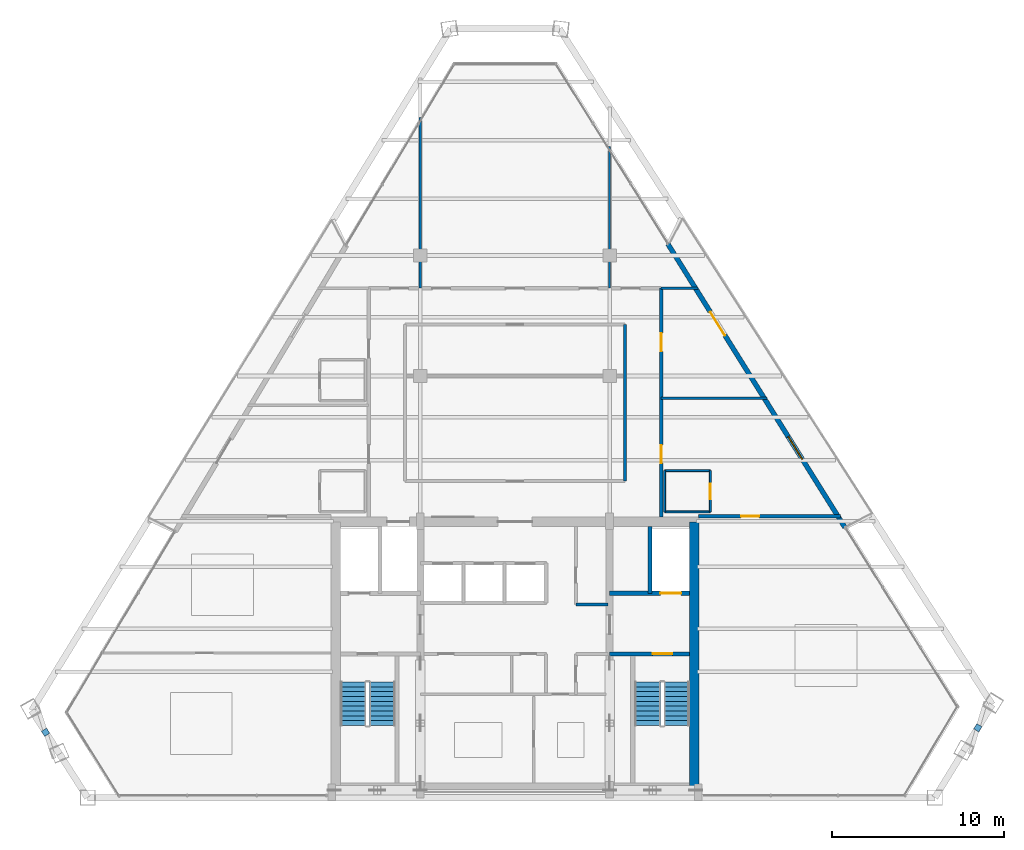
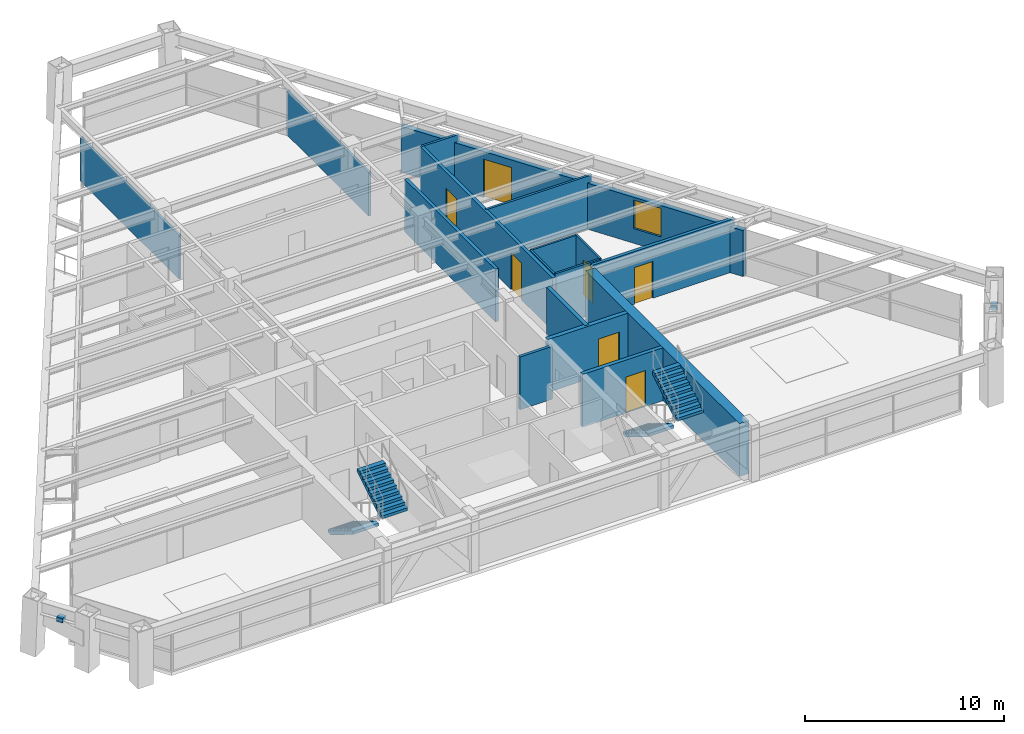
# One storey, part 10 of 12: 17 walls, 7 doors, 4 stair flights, 2 discrete accessories, 1 window, 8 openings, 2 elements without a shape of their own.
"""IFC4 building model written with IfcOpenShell, lengths in metres."""

from ifc_helpers import new_model, si_unit, direction, frame, frame_2d, origin, origin_2d, place, context, subcontext, project, spatial, polyline, rectangle, outline, extrude, source, transform, mapped, material, layer, layer_set, type_object, type_shapes, element, fill, aggregate, save


model = new_model("IFC4")

# Units and contexts
model_context = context("Model", 3, precision=1e-05, world=origin(), true_north=direction((0.0, 1.0)))
body_context = subcontext(model_context, "Body", "Model", "MODEL_VIEW")
ifc_project = project(units=[si_unit("LENGTHUNIT", "METRE"), si_unit("AREAUNIT", "SQUARE_METRE"), si_unit("VOLUMEUNIT", "CUBIC_METRE"), si_unit("PLANEANGLEUNIT", "RADIAN"), si_unit("MASSUNIT", "GRAM", prefix="KILO")], contexts=[model_context])

# Site, building, storey
site_placement = place(None, origin())
site = spatial("IfcSite", under=ifc_project, at=site_placement, CompositionType="ELEMENT")
building_placement = place(site_placement, origin())
building = spatial("IfcBuilding", under=site, at=building_placement, Name="Varnakhor Terracotta Tower", CompositionType="ELEMENT")
storey_placement = place(building_placement, frame((0.0, 0.0, 223.449951171875)))
storey = spatial("IfcBuildingStorey", under=building, at=storey_placement, Name="L57", CompositionType="ELEMENT", Elevation=223.449951171875)

# Walls
ifc_material_1 = material(Name="Moisture-Resistant Tile-Backed Partition", Category="gypsum")
ifc_layer_1 = layer(ifc_material_1, 0.114990234375, Name="Moisture-Resistant Tile-Backed Partition")
ifc_layer_set_1 = layer_set([ifc_layer_1], Name="Moisture-Resistant Tile-Backed Partition")
wall_type_1 = type_object("IfcWallType", Name="WAL-BATH-115", PredefinedType="PARTITIONING", material=ifc_layer_set_1)
for number, where, z_axis, x_axis, name in (
    (1, (8.699951171875, 16.60009765625, 0.0), (0.0, 0.0, 1.0), (1.0, 0.0, 0.0), "L57 En-Suite 3 Wall S"),
    (2, (8.699951171875, 19.0, 0.0), (0.0, 0.0, 1.0), (1.0, 0.0, 0.0), "L57 En-Suite 3 Wall N"),
):
    element("IfcWall", number, at=place(storey_placement, frame(where, z_axis=z_axis, x_axis=x_axis)), inside=storey, type_object=wall_type_1, Name=name, PredefinedType="PARTITIONING", context=body_context, shape_type="SweptSolid", body=[
        extrude(rectangle(XDim=2.650146484375, YDim=0.114990234375, at=frame_2d((1.3251953125, 0.0))), origin(), (0.0, 0.0, 1.0), 3.23193359375),
    ])
wall_1_placement = place(storey_placement, frame((8.699951171875, 16.60009765625, 0.0), z_axis=(0.0, 0.0, 1.0), x_axis=(0.0, 1.0, 0.0)))
element("IfcWall", 3, at=wall_1_placement, inside=storey, type_object=wall_type_1, Name="L57 En-Suite 3 Wall W", PredefinedType="PARTITIONING", context=body_context, shape_type="SweptSolid", body=[
    extrude(rectangle(XDim=2.39990234375, YDim=0.114990234375, at=frame_2d((1.199951171875, 0.0))), origin(), (0.0, 0.0, 1.0), 3.23193359375),
])

# Wall, opening, door
wall_2_placement = place(storey_placement, frame((11.35009765625, 16.60009765625, 0.0), z_axis=(0.0, 0.0, 1.0), x_axis=(0.0, 1.0, 0.0)))
wall_2 = element("IfcWall", 4, at=wall_2_placement, inside=storey, type_object=wall_type_1, Name="L57 En-Suite 3 Wall E", PredefinedType="PARTITIONING", context=body_context, shape_type="SweptSolid", body=[
    extrude(rectangle(XDim=2.39990234375, YDim=0.114990234375, at=frame_2d((1.199951171875, 0.0))), origin(), (0.0, 0.0, 1.0), 3.23193359375),
])
opening_1_placement = place(wall_2_placement, frame((0.75, 0.0, 0.0)))
opening_1 = element("IfcOpeningElement", 5, at=opening_1_placement, cuts=wall_2, Name="Opening DR-93", PredefinedType="OPENING", context=body_context, shape_type="SweptSolid", body=[
    extrude(rectangle(XDim=0.89990234375, YDim=2.14990234375, at=frame_2d((0.449951171875, 1.074951171875))), frame((0.0, 0.0673828125, 0.0), z_axis=(0.0, -1.0, 0.0), x_axis=(1.0, 0.0, 0.0)), (0.0, 0.0, 1.0), 0.135009765625),
])
ifc_material_2 = material(Name="Moisture-Resistant Accessible Bathroom Door", Category="wood")
door_type_1 = type_object("IfcDoorType", Name="DR-BATH-900X2150", OperationType="NOTDEFINED", PredefinedType="DOOR", material=ifc_material_2)
shared_shape_1 = source(origin(), body_context, "Body", "SweptSolid", [
    extrude(rectangle(XDim=0.89990234375, YDim=2.14990234375, at=frame_2d((0.449951171875, 1.074951171875))), frame((0.0, 0.02490234375, 0.0), z_axis=(0.0, -1.0, 0.0), x_axis=(1.0, 0.0, 0.0)), (0.0, 0.0, 1.0), 0.050048828125),
])
type_shapes(door_type_1, [shared_shape_1])
door_1_placement = place(opening_1_placement, origin())
door_1 = element("IfcDoor", 6, at=door_1_placement, inside=storey, type_object=door_type_1, Name="L57 En-Suite Bathroom 3 Door", OperationType="SINGLE_SWING_LEFT", OverallHeight=2.14990234375, OverallWidth=0.89990234375, PredefinedType="DOOR", context=body_context, shape_type="MappedRepresentation", body=[
    mapped(shared_shape_1, transform((0.0, 0.0, 0.0), scale=1.0)),
])
fill(opening_1, door_1)

# Walls
ifc_material_3 = material(Name="Concrete C50/60", Category="concrete")
ifc_layer_2 = layer(ifc_material_3, 0.550048828125, Name="Concrete C50/60")
ifc_layer_set_2 = layer_set([ifc_layer_2], Name="Concrete C50/60")
wall_type_2 = type_object("IfcWallType", Name="WAL-CORE-550", PredefinedType="SHEAR", material=ifc_layer_set_2)
wall_3_placement = place(storey_placement, frame((10.425048828125, 0.574951171875, 0.0), z_axis=(0.0, 0.0, 1.0), x_axis=(0.0, 1.0, 0.0)))
element("IfcWall", 7, at=wall_3_placement, inside=storey, type_object=wall_type_2, Name="L57 East Core Shear Wall", PredefinedType="SHEAR", context=body_context, shape_type="SweptSolid", body=[
    extrude(rectangle(XDim=15.449951171875, YDim=0.550048828125, at=frame_2d((7.72509765625, 0.0))), origin(), (0.0, 0.0, 1.0), 3.239990234375),
])
ifc_material_4 = material(Name="Fire-Rated Gypsum Stud Partition", Category="gypsum")
ifc_layer_3 = layer(ifc_material_4, 0.18505859375, Name="Fire-Rated Gypsum Stud Partition")
ifc_layer_set_3 = layer_set([ifc_layer_3], Name="Fire-Rated Gypsum Stud Partition")
wall_type_3 = type_object("IfcWallType", Name="WAL-CORR-185", PredefinedType="PARTITIONING", material=ifc_layer_set_3)
wall_4_placement = place(storey_placement, frame((6.39990234375, 18.39990234375, 0.0), z_axis=(0.0, 0.0, 1.0), x_axis=(0.0, 1.0, 0.0)))
element("IfcWall", 8, at=wall_4_placement, inside=storey, type_object=wall_type_3, Name="L57 Ring Inner East Wall", PredefinedType="PARTITIONING", context=body_context, shape_type="SweptSolid", body=[
    extrude(rectangle(XDim=9.10009765625, YDim=0.18505859375, at=frame_2d((4.550048828125, 0.0))), origin(), (0.0, 0.0, 1.0), 3.23193359375),
])

# Wall, openings, doors
wall_5_placement = place(storey_placement, frame((8.5, 16.300048828125, 0.0), z_axis=(0.0, 0.0, 1.0), x_axis=(0.0, 1.0, 0.0)))
wall_5 = element("IfcWall", 9, at=wall_5_placement, inside=storey, type_object=wall_type_3, Name="L57 Hotel East Corridor Wall", PredefinedType="PARTITIONING", context=body_context, shape_type="SweptSolid", body=[
    extrude(rectangle(XDim=13.300048828125, YDim=0.18505859375, at=frame_2d((6.64990234375, 0.0))), origin(), (0.0, 0.0, 1.0), 3.23193359375),
])
opening_2_placement = place(wall_5_placement, frame((3.135986328125, 0.0, 0.0)))
opening_2 = element("IfcOpeningElement", 10, at=opening_2_placement, cuts=wall_5, Name="Opening DR-95", PredefinedType="OPENING", context=body_context, shape_type="SweptSolid", body=[
    extrude(rectangle(XDim=1.050048828125, YDim=2.25, at=frame_2d((0.52490234375, 1.125))), frame((0.0, 0.1025390625, 0.0), z_axis=(0.0, -1.0, 0.0), x_axis=(1.0, 0.0, 0.0)), (0.0, 0.0, 1.0), 0.205078125),
])
opening_3_placement = place(wall_5_placement, frame((9.6357421875, 0.0, 0.0)))
opening_3 = element("IfcOpeningElement", 11, at=opening_3_placement, cuts=wall_5, Name="Opening DR-95", PredefinedType="OPENING", context=body_context, shape_type="SweptSolid", body=[
    extrude(rectangle(XDim=1.050048828125, YDim=2.25, at=frame_2d((0.52490234375, 1.125))), frame((0.0, 0.1025390625, 0.0), z_axis=(0.0, -1.0, 0.0), x_axis=(1.0, 0.0, 0.0)), (0.0, 0.0, 1.0), 0.205078125),
])
ifc_material_5 = material(Name="Solid-Core Timber Tenant/Hotel Entrance Door", Category="wood")
door_type_2 = type_object("IfcDoorType", Name="DR-SUITE-1050X2250", OperationType="NOTDEFINED", PredefinedType="DOOR", material=ifc_material_5)
shared_shape_2 = source(origin(), body_context, "Body", "SweptSolid", [
    extrude(rectangle(XDim=1.050048828125, YDim=2.25, at=frame_2d((0.52490234375, 1.125))), frame((0.0, 0.02490234375, 0.0), z_axis=(0.0, -1.0, 0.0), x_axis=(1.0, 0.0, 0.0)), (0.0, 0.0, 1.0), 0.050048828125),
])
type_shapes(door_type_2, [shared_shape_2])
door_2_placement = place(opening_2_placement, origin())
door_2 = element("IfcDoor", 12, at=door_2_placement, inside=storey, type_object=door_type_2, Name="L57 East Room 1 Entry Door", OperationType="SINGLE_SWING_RIGHT", OverallHeight=2.25, OverallWidth=1.050048828125, PredefinedType="DOOR", context=body_context, shape_type="MappedRepresentation", body=[
    mapped(shared_shape_2, transform((0.0, 0.0, 0.0), scale=1.0)),
])
fill(opening_2, door_2)
door_3_placement = place(opening_3_placement, origin())
door_3 = element("IfcDoor", 13, at=door_3_placement, inside=storey, type_object=door_type_2, Name="L57 East Room 2 Entry Door", OperationType="SINGLE_SWING_LEFT", OverallHeight=2.25, OverallWidth=1.050048828125, PredefinedType="DOOR", context=body_context, shape_type="MappedRepresentation", body=[
    mapped(shared_shape_2, transform((0.0, 0.0, 0.0), scale=1.0)),
])
fill(opening_3, door_3)

# Wall, opening, door
wall_6_placement = place(storey_placement, frame((10.679931640625, 16.35009765625, 0.0), z_axis=(0.0, 0.0, 1.0), x_axis=(1.0, 0.0, 0.0)))
wall_6 = element("IfcWall", 14, at=wall_6_placement, inside=storey, type_object=wall_type_3, Name="L57 South East Guest Entry Wall", PredefinedType="PARTITIONING", context=body_context, shape_type="SweptSolid", body=[
    extrude(rectangle(XDim=8.240966796875, YDim=0.18505859375, at=frame_2d((4.12060546875, 0.0))), origin(), (0.0, 0.0, 1.0), 3.23193359375),
])
opening_4_placement = place(wall_6_placement, frame((2.461181640625, 0.0, 0.0)))
opening_4 = element("IfcOpeningElement", 15, at=opening_4_placement, cuts=wall_6, Name="Opening DR-95", PredefinedType="OPENING", context=body_context, shape_type="SweptSolid", body=[
    extrude(rectangle(XDim=1.050048828125, YDim=2.25, at=frame_2d((0.52490234375, 1.125))), frame((0.0, 0.1025390625, 0.0), z_axis=(0.0, -1.0, 0.0), x_axis=(1.0, 0.0, 0.0)), (0.0, 0.0, 1.0), 0.205078125),
])
door_4_placement = place(opening_4_placement, origin())
door_4 = element("IfcDoor", 16, at=door_4_placement, inside=storey, type_object=door_type_2, Name="L57 SE Suite Entry Door", OperationType="SINGLE_SWING_LEFT", OverallHeight=2.25, OverallWidth=1.050048828125, PredefinedType="DOOR", context=body_context, shape_type="MappedRepresentation", body=[
    mapped(shared_shape_2, transform((0.0, 0.0, 0.0), scale=1.0)),
])
fill(opening_4, door_4)

# Wall, openings, door, window
ifc_material_6 = material(Name="Extruded Architectural Terracotta Assembly", Category="masonry")
ifc_layer_4 = layer(ifc_material_6, 0.280029296875, Name="Extruded Architectural Terracotta Assembly")
ifc_layer_set_4 = layer_set([ifc_layer_4], Name="Extruded Architectural Terracotta Assembly")
wall_type_4 = type_object("IfcWallType", Name="WAL-EXT-TERRACOTTA-280", PredefinedType="SOLIDWALL", material=ifc_layer_set_4)
wall_7_placement = place(storey_placement, frame((8.882568359375, 32.177734375, 0.0), z_axis=(0.0, 0.0, 1.0), x_axis=(0.529719957473, -0.848172604282, 0.0)))
wall_7 = element("IfcWall", 17, at=wall_7_placement, inside=storey, type_object=wall_type_4, Name="L57 E Loggia Insulated Terracotta Wall", PredefinedType="SOLIDWALL", context=body_context, shape_type="SweptSolid", body=[
    extrude(rectangle(XDim=19.431396484375, YDim=0.280029296875, at=frame_2d((9.7158203125, 0.0))), origin(), (0.0, 0.0, 1.0), 2.820068359375),
])
opening_5_placement = place(wall_7_placement, frame((4.66357421875, 0.0, 0.0)))
opening_5 = element("IfcOpeningElement", 18, at=opening_5_placement, cuts=wall_7, Name="Opening DR-62", PredefinedType="OPENING", context=body_context, shape_type="SweptSolid", body=[
    extrude(rectangle(XDim=1.60009765625, YDim=2.35009765625, at=frame_2d((0.800048828125, 1.175048828125))), frame((0.0, 0.14990234375, 0.0), z_axis=(0.0, -1.0, 0.0), x_axis=(1.0, 0.0, 0.0)), (0.0, 0.0, 1.0), 0.300048828125),
])
opening_6_placement = place(wall_7_placement, frame((13.21337890625, 0.0, 0.89990234375)))
opening_6 = element("IfcOpeningElement", 19, at=opening_6_placement, cuts=wall_7, Name="Opening WN-59", PredefinedType="OPENING", context=body_context, shape_type="SweptSolid", body=[
    extrude(rectangle(XDim=1.550048828125, YDim=1.75, at=frame_2d((0.77490234375, 0.875))), frame((0.0, 0.14990234375, 0.0), z_axis=(0.0, -1.0, 0.0), x_axis=(1.0, 0.0, 0.0)), (0.0, 0.0, 1.0), 0.300048828125),
])
ifc_material_7 = material(Name="Thermally Broken Sliding Glass Loggia Door", Category="glass")
door_type_3 = type_object("IfcDoorType", Name="DR-EXT-LOGGIA-1600X2350", OperationType="NOTDEFINED", PredefinedType="DOOR", material=ifc_material_7)
shared_shape_3 = source(origin(), body_context, "Body", "SweptSolid", [
    extrude(rectangle(XDim=1.60009765625, YDim=2.35009765625, at=frame_2d((0.800048828125, 1.175048828125))), frame((0.0, 0.02490234375, 0.0), z_axis=(0.0, -1.0, 0.0), x_axis=(1.0, 0.0, 0.0)), (0.0, 0.0, 1.0), 0.050048828125),
])
type_shapes(door_type_3, [shared_shape_3])
door_5_placement = place(opening_5_placement, origin())
door_5 = element("IfcDoor", 20, at=door_5_placement, inside=storey, type_object=door_type_3, Name="L57 E Recessed Loggia Sliding Door", OperationType="SLIDING_TO_RIGHT", OverallHeight=2.35009765625, OverallWidth=1.60009765625, PredefinedType="DOOR", context=body_context, shape_type="MappedRepresentation", body=[
    mapped(shared_shape_3, transform((0.0, 0.0, 0.0), scale=1.0)),
])
fill(opening_5, door_5)
ifc_material_8 = material(Name="Solar-Control Low-E Insulated Glass Unit", Category="glass")
window_type = type_object("IfcWindowType", Name="WIN-HTL-1500X1950", PartitioningType="SINGLE_PANEL", PredefinedType="WINDOW", material=ifc_material_8)
shared_shape_4 = source(origin(), body_context, "Body", "SweptSolid", [
    extrude(rectangle(XDim=1.550048828125, YDim=1.75, at=frame_2d((0.77490234375, 0.875))), frame((0.0, 0.030029296875, 0.0), z_axis=(0.0, -1.0, 0.0), x_axis=(1.0, 0.0, 0.0)), (0.0, 0.0, 1.0), 0.06005859375),
])
type_shapes(window_type, [shared_shape_4])
window_placement = place(opening_6_placement, origin())
window = element("IfcWindow", 21, at=window_placement, inside=storey, type_object=window_type, Name="L57 E Facet Punched Window", OverallHeight=1.75, OverallWidth=1.550048828125, PartitioningType="SINGLE_PANEL", PredefinedType="WINDOW", context=body_context, shape_type="MappedRepresentation", body=[
    mapped(shared_shape_4, transform((0.0, 0.0, 0.0), scale=1.0)),
])
fill(opening_6, window)

# Wall, opening, door
ifc_material_9 = material(Name="Concrete C40/50", Category="concrete")
ifc_layer_5 = layer(ifc_material_9, 0.219970703125, Name="Concrete C40/50")
ifc_layer_set_5 = layer_set([ifc_layer_5], Name="Concrete C40/50")
wall_type_5 = type_object("IfcWallType", Name="WAL-FFLOBBY-220", PredefinedType="SOLIDWALL", material=ifc_layer_set_5)
wall_8_placement = place(storey_placement, frame((10.14990234375, 8.35009765625, 0.0), z_axis=(0.0, 0.0, 1.0), x_axis=(-1.0, 0.0, 0.0)))
wall_8 = element("IfcWall", 22, at=wall_8_placement, inside=storey, type_object=wall_type_5, Name="L57 East Firefighting Lobby Stair Wall", PredefinedType="SOLIDWALL", context=body_context, shape_type="SweptSolid", body=[
    extrude(rectangle(XDim=4.64990234375, YDim=0.219970703125, at=frame_2d((2.324951171875, 0.0))), origin(), (0.0, 0.0, 1.0), 3.239990234375),
])
opening_7_placement = place(wall_8_placement, frame((1.0, 0.0, 0.0)))
opening_7 = element("IfcOpeningElement", 23, at=opening_7_placement, cuts=wall_8, Name="Opening DR-34", PredefinedType="OPENING", context=body_context, shape_type="SweptSolid", body=[
    extrude(rectangle(XDim=1.14990234375, YDim=2.199951171875, at=frame_2d((0.574951171875, 1.10009765625))), frame((0.0, 0.1201171875, 0.0), z_axis=(0.0, -1.0, 0.0), x_axis=(1.0, 0.0, 0.0)), (0.0, 0.0, 1.0), 0.239990234375),
])
ifc_material_10 = material(Name="Self-Closing Smoke-Sealed Steel Fire Door", Category="steel")
door_type_4 = type_object("IfcDoorType", Name="DR-STAIR-1150X2200", OperationType="NOTDEFINED", PredefinedType="DOOR", material=ifc_material_10)
shared_shape_5 = source(origin(), body_context, "Body", "SweptSolid", [
    extrude(rectangle(XDim=1.14990234375, YDim=2.199951171875, at=frame_2d((0.574951171875, 1.10009765625))), frame((0.0, 0.02490234375, 0.0), z_axis=(0.0, -1.0, 0.0), x_axis=(1.0, 0.0, 0.0)), (0.0, 0.0, 1.0), 0.050048828125),
])
type_shapes(door_type_4, [shared_shape_5])
door_6_placement = place(opening_7_placement, origin())
door_6 = element("IfcDoor", 24, at=door_6_placement, inside=storey, type_object=door_type_4, Name="L57 Exit Stair ST-2 Fire Door", OperationType="SINGLE_SWING_RIGHT", OverallHeight=2.199951171875, OverallWidth=1.14990234375, PredefinedType="DOOR", context=body_context, shape_type="MappedRepresentation", body=[
    mapped(shared_shape_5, transform((0.0, 0.0, 0.0), scale=1.0)),
])
fill(opening_7, door_6)

# Walls
ifc_material_11 = material(Name="Acoustic Hotel Room Partition", Category="gypsum")
ifc_layer_6 = layer(ifc_material_11, 0.1298828125, Name="Acoustic Hotel Room Partition")
ifc_layer_set_6 = layer_set([ifc_layer_6], Name="Acoustic Hotel Room Partition")
wall_type_6 = type_object("IfcWallType", Name="WAL-PART-130", PredefinedType="PARTITIONING", material=ifc_layer_set_6)
wall_9_placement = place(storey_placement, frame((8.5, 29.60009765625, 0.0), z_axis=(0.0, 0.0, 1.0), x_axis=(1.0, 0.0, 0.0)))
element("IfcWall", 25, at=wall_9_placement, inside=storey, type_object=wall_type_6, Name="L57 North East Suite South Wall", PredefinedType="PARTITIONING", context=body_context, shape_type="SweptSolid", body=[
    extrude(rectangle(XDim=2.145751953125, YDim=0.1298828125, at=frame_2d((1.07275390625, 0.0))), origin(), (0.0, 0.0, 1.0), 3.23193359375),
])
wall_10_placement = place(storey_placement, frame((-5.5, 29.60009765625, 0.0), z_axis=(0.0, 0.0, 1.0), x_axis=(0.0, 1.0, 0.0)))
element("IfcWall", 26, at=wall_10_placement, inside=storey, type_object=wall_type_6, Name="L57 North West Column Wall", PredefinedType="PARTITIONING", context=body_context, shape_type="SweptSolid", body=[
    extrude(rectangle(XDim=9.92919921875, YDim=0.1298828125, at=frame_2d((4.964599609375, 0.0))), origin(), (0.0, 0.0, 1.0), 2.68310546875),
])
wall_11_placement = place(storey_placement, frame((5.5, 29.60009765625, 0.0), z_axis=(0.0, 0.0, 1.0), x_axis=(0.0, 1.0, 0.0)))
element("IfcWall", 27, at=wall_11_placement, inside=storey, type_object=wall_type_6, Name="L57 North East Column Wall", PredefinedType="PARTITIONING", context=body_context, shape_type="SweptSolid", body=[
    extrude(rectangle(XDim=8.2392578125, YDim=0.1298828125, at=frame_2d((4.11962890625, 0.0))), origin(), (0.0, 0.0, 1.0), 2.68310546875),
])
wall_12_placement = place(storey_placement, frame((8.5, 23.199951171875, 0.0), z_axis=(0.0, 0.0, 1.0), x_axis=(1.0, 0.0, 0.0)))
element("IfcWall", 28, at=wall_12_placement, inside=storey, type_object=wall_type_6, Name="L57 East Key Cut 1", PredefinedType="PARTITIONING", context=body_context, shape_type="SweptSolid", body=[
    extrude(rectangle(XDim=6.142822265625, YDim=0.1298828125, at=frame_2d((3.0712890625, 0.0))), origin(), (0.0, 0.0, 1.0), 3.23193359375),
])
ifc_layer_7 = layer(ifc_material_9, 0.219970703125, Name="Concrete C40/50")
ifc_layer_set_7 = layer_set([ifc_layer_7], Name="Concrete C40/50")
wall_type_7 = type_object("IfcWallType", Name="WAL-SHAFT-220", PredefinedType="SOLIDWALL", material=ifc_layer_set_7)
wall_13_placement = place(storey_placement, frame((7.840087890625, 11.8701171875, 0.0), z_axis=(0.0, 0.0, 1.0), x_axis=(0.0, 1.0, 0.0)))
element("IfcWall", 29, at=wall_13_placement, inside=storey, type_object=wall_type_7, Name="L57 Lift FFL-2 and Riser Divider Wall", PredefinedType="SOLIDWALL", context=body_context, shape_type="SweptSolid", body=[
    extrude(rectangle(XDim=3.8798828125, YDim=0.219970703125, at=frame_2d((1.93994140625, 0.0))), origin(), (0.0, 0.0, 1.0), 3.239990234375),
])

# Wall, opening, door
ifc_layer_8 = layer(ifc_material_9, 0.25, Name="Concrete C40/50")
ifc_layer_set_8 = layer_set([ifc_layer_8], Name="Concrete C40/50")
wall_type_8 = type_object("IfcWallType", Name="WAL-SHAFT-250", PredefinedType="SOLIDWALL", material=ifc_layer_set_8)
wall_14_placement = place(storey_placement, frame((10.14990234375, 11.8701171875, 0.0), z_axis=(0.0, 0.0, 1.0), x_axis=(-1.0, 0.0, 0.0)))
wall_14 = element("IfcWall", 30, at=wall_14_placement, inside=storey, type_object=wall_type_8, Name="L57 Lift FFL-2 Shaft Front Wall", PredefinedType="SOLIDWALL", context=body_context, shape_type="SweptSolid", body=[
    extrude(rectangle(XDim=4.64990234375, YDim=0.25, at=frame_2d((2.324951171875, 0.0))), origin(), (0.0, 0.0, 1.0), 3.239990234375),
])
opening_8_placement = place(wall_14_placement, frame((0.5, 0.0, 0.0)))
opening_8 = element("IfcOpeningElement", 31, at=opening_8_placement, cuts=wall_14, Name="Opening LD-02", PredefinedType="OPENING", context=body_context, shape_type="SweptSolid", body=[
    extrude(rectangle(XDim=1.199951171875, YDim=2.25, at=frame_2d((0.60009765625, 1.125))), frame((0.0, 0.135009765625, 0.0), z_axis=(0.0, -1.0, 0.0), x_axis=(1.0, 0.0, 0.0)), (0.0, 0.0, 1.0), 0.27001953125),
])
ifc_material_12 = material(Name="Firefighting Stretcher Sliding Lift Landing Door", Category="steel")
door_type_5 = type_object("IfcDoorType", Name="LD-FFL-1200X2250", OperationType="NOTDEFINED", PredefinedType="DOOR", material=ifc_material_12)
shared_shape_6 = source(origin(), body_context, "Body", "SweptSolid", [
    extrude(rectangle(XDim=1.199951171875, YDim=2.25, at=frame_2d((0.60009765625, 1.125))), frame((0.0, 0.02490234375, 0.0), z_axis=(0.0, -1.0, 0.0), x_axis=(1.0, 0.0, 0.0)), (0.0, 0.0, 1.0), 0.050048828125),
])
type_shapes(door_type_5, [shared_shape_6])
door_7_placement = place(opening_8_placement, origin())
door_7 = element("IfcDoor", 32, at=door_7_placement, inside=storey, type_object=door_type_5, Name="L57 Firefighting Lift FFL-2 Landing Door", OperationType="SLIDING_TO_RIGHT", OverallHeight=2.25, OverallWidth=1.199951171875, PredefinedType="DOOR", context=body_context, shape_type="MappedRepresentation", body=[
    mapped(shared_shape_6, transform((0.0, 0.0, 0.0), scale=1.0)),
])
fill(opening_8, door_7)

# Wall
ifc_material_13 = material(Name="Acoustic Fire-Rated Partition", Category="gypsum")
ifc_layer_9 = layer(ifc_material_13, 0.1650390625, Name="Acoustic Fire-Rated Partition")
ifc_layer_set_9 = layer_set([ifc_layer_9], Name="Acoustic Fire-Rated Partition")
wall_type_9 = type_object("IfcWallType", Name="WAL-TENANCY-165", PredefinedType="PARTITIONING", material=ifc_layer_set_9)
wall_15_placement = place(storey_placement, frame((3.5400390625, 11.219970703125, 0.0), z_axis=(0.0, 0.0, 1.0), x_axis=(1.0, 0.0, 0.0)))
element("IfcWall", 33, at=wall_15_placement, inside=storey, type_object=wall_type_9, Name="L57 Restroom South Wall", PredefinedType="PARTITIONING", context=body_context, shape_type="SweptSolid", body=[
    extrude(rectangle(XDim=1.8798828125, YDim=0.1650390625, at=frame_2d((0.93994140625, 0.0))), origin(), (0.0, 0.0, 1.0), 3.23193359375),
])

# Stair, stair flights
stair_type = type_object("IfcStairType", Name="STR-CORE-HOTEL-1500", PredefinedType="HALF_TURN_STAIR", material=ifc_material_9)
stair_1_placement = place(storey_placement, origin())
stair_1 = element("IfcStair", 34, at=stair_1_placement, inside=storey, type_object=stair_type, Name="L57 Core Exit Stair ST-1", PredefinedType="HALF_TURN_STAIR")
stair_flight_type = type_object("IfcStairFlightType", Name="FLT-HOTEL-1500", PredefinedType="STRAIGHT", material=ifc_material_9)
stair_flight_1_placement = place(storey_placement, frame((-9.39990234375, 6.7099609375, 0.0), z_axis=(0.0, 0.0, 1.0), x_axis=(0.0, -1.0, 0.0)))
stair_flight_1 = element("IfcStairFlight", 35, at=stair_flight_1_placement, type_object=stair_flight_type, Name="ST-1 flight 1", NumberOfRisers=10, NumberOfTreads=9, PredefinedType="STRAIGHT", RiserHeight=0.1725, TreadLength=0.28, context=body_context, shape_type="SweptSolid", body=[
    extrude(outline(polyline([(0.0, 0.0), (0.0, 0.172607421875), (0.280029296875, 0.172607421875), (0.280029296875, 0.344970703125), (0.56005859375, 0.344970703125), (0.56005859375, 0.517578125), (0.840087890625, 0.517578125), (0.840087890625, 0.68994140625), (1.1201171875, 0.68994140625), (1.1201171875, 0.862548828125), (1.39990234375, 0.862548828125), (1.39990234375, 1.034912109375), (1.679931640625, 1.034912109375), (1.679931640625, 1.20751953125), (1.9599609375, 1.20751953125), (1.9599609375, 1.3798828125), (2.239990234375, 1.3798828125), (2.239990234375, 1.552490234375), (2.52001953125, 1.552490234375), (2.52001953125, 1.72509765625), (2.52001953125, 1.36474609375), (0.304931640625, 0.0), (0.0, 0.0)])), frame((0.0, 0.75, 0.0), z_axis=(0.0, -1.0, 0.0), x_axis=(1.0, 0.0, 0.0)), (0.0, 0.0, 1.0), 1.5),
])
stair_flight_2_placement = place(storey_placement, frame((-7.699951171875, 4.18994140625, 1.72509765625), z_axis=(0.0, 0.0, 1.0), x_axis=(0.0, 1.0, 0.0)))
stair_flight_2 = element("IfcStairFlight", 36, at=stair_flight_2_placement, type_object=stair_flight_type, Name="ST-1 flight 2", NumberOfRisers=10, NumberOfTreads=9, PredefinedType="STRAIGHT", RiserHeight=0.1725, TreadLength=0.28, context=body_context, shape_type="SweptSolid", body=[
    extrude(outline(polyline([(0.0, 0.0), (0.0, 0.172607421875), (0.280029296875, 0.172607421875), (0.280029296875, 0.344970703125), (0.56005859375, 0.344970703125), (0.56005859375, 0.517578125), (0.840087890625, 0.517578125), (0.840087890625, 0.68994140625), (1.1201171875, 0.68994140625), (1.1201171875, 0.862548828125), (1.39990234375, 0.862548828125), (1.39990234375, 1.034912109375), (1.679931640625, 1.034912109375), (1.679931640625, 1.20751953125), (1.9599609375, 1.20751953125), (1.9599609375, 1.3798828125), (2.239990234375, 1.3798828125), (2.239990234375, 1.552490234375), (2.52001953125, 1.552490234375), (2.52001953125, 1.72509765625), (2.52001953125, 1.36474609375), (0.304931640625, 0.0), (0.0, 0.0)])), frame((0.0, 0.75, 0.0), z_axis=(0.0, -1.0, 0.0), x_axis=(1.0, 0.0, 0.0)), (0.0, 0.0, 1.0), 1.5),
])
aggregate(stair_1, [stair_flight_1, stair_flight_2])

stair_2_placement = place(storey_placement, origin())
stair_2 = element("IfcStair", 37, at=stair_2_placement, inside=storey, type_object=stair_type, Name="L57 Core Exit Stair ST-2", PredefinedType="HALF_TURN_STAIR")
stair_flight_3_placement = place(storey_placement, frame((7.699951171875, 6.7099609375, 0.0), z_axis=(0.0, 0.0, 1.0), x_axis=(0.0, -1.0, 0.0)))
stair_flight_3 = element("IfcStairFlight", 38, at=stair_flight_3_placement, type_object=stair_flight_type, Name="ST-2 flight 1", NumberOfRisers=10, NumberOfTreads=9, PredefinedType="STRAIGHT", RiserHeight=0.1725, TreadLength=0.28, context=body_context, shape_type="SweptSolid", body=[
    extrude(outline(polyline([(0.0, 0.0), (0.0, 0.172607421875), (0.280029296875, 0.172607421875), (0.280029296875, 0.344970703125), (0.56005859375, 0.344970703125), (0.56005859375, 0.517578125), (0.840087890625, 0.517578125), (0.840087890625, 0.68994140625), (1.1201171875, 0.68994140625), (1.1201171875, 0.862548828125), (1.39990234375, 0.862548828125), (1.39990234375, 1.034912109375), (1.679931640625, 1.034912109375), (1.679931640625, 1.20751953125), (1.9599609375, 1.20751953125), (1.9599609375, 1.3798828125), (2.239990234375, 1.3798828125), (2.239990234375, 1.552490234375), (2.52001953125, 1.552490234375), (2.52001953125, 1.72509765625), (2.52001953125, 1.36474609375), (0.304931640625, 0.0), (0.0, 0.0)])), frame((0.0, 0.75, 0.0), z_axis=(0.0, -1.0, 0.0), x_axis=(1.0, 0.0, 0.0)), (0.0, 0.0, 1.0), 1.5),
])
stair_flight_4_placement = place(storey_placement, frame((9.39990234375, 4.18994140625, 1.72509765625), z_axis=(0.0, 0.0, 1.0), x_axis=(0.0, 1.0, 0.0)))
stair_flight_4 = element("IfcStairFlight", 39, at=stair_flight_4_placement, type_object=stair_flight_type, Name="ST-2 flight 2", NumberOfRisers=10, NumberOfTreads=9, PredefinedType="STRAIGHT", RiserHeight=0.1725, TreadLength=0.28, context=body_context, shape_type="SweptSolid", body=[
    extrude(outline(polyline([(0.0, 0.0), (0.0, 0.172607421875), (0.280029296875, 0.172607421875), (0.280029296875, 0.344970703125), (0.56005859375, 0.344970703125), (0.56005859375, 0.517578125), (0.840087890625, 0.517578125), (0.840087890625, 0.68994140625), (1.1201171875, 0.68994140625), (1.1201171875, 0.862548828125), (1.39990234375, 0.862548828125), (1.39990234375, 1.034912109375), (1.679931640625, 1.034912109375), (1.679931640625, 1.20751953125), (1.9599609375, 1.20751953125), (1.9599609375, 1.3798828125), (2.239990234375, 1.3798828125), (2.239990234375, 1.552490234375), (2.52001953125, 1.552490234375), (2.52001953125, 1.72509765625), (2.52001953125, 1.36474609375), (0.304931640625, 0.0), (0.0, 0.0)])), frame((0.0, 0.75, 0.0), z_axis=(0.0, -1.0, 0.0), x_axis=(1.0, 0.0, 0.0)), (0.0, 0.0, 1.0), 1.5),
])
aggregate(stair_2, [stair_flight_3, stair_flight_4])

# Discrete accessories
ifc_material_14 = material(Name="Stainless Steel Fixing Bracket", Category="steel")
discrete_accessory_type = type_object("IfcDiscreteAccessoryType", Name="BRACKET-TERRACOTTA-SCREEN", PredefinedType="BRACKET", material=ifc_material_14)
shared_shape_7 = source(origin(), body_context, "Body", "SweptSolid", [
    extrude(rectangle(XDim=0.35009765625, YDim=0.35009765625, at=origin_2d()), origin(), (0.0, 0.0, 1.0), 0.280029296875),
])
type_shapes(discrete_accessory_type, [shared_shape_7])
for number, where, z_axis, x_axis, name in (
    (40, (26.900146484375, 4.05419921875, 2.3369140625), (0.0, 0.0, 1.0), (0.523539870984, 0.852001175756, 0.0), "L57 E Screen Fixing Bracket"),
    (41, (-27.2744140625, 3.793701171875, 2.3369140625), (0.0, 0.0, 1.0), (0.539300007075, -0.842113711068, 0.0), "L57 W Screen Fixing Bracket"),
):
    element("IfcDiscreteAccessory", number, at=place(storey_placement, frame(where, z_axis=z_axis, x_axis=x_axis)), inside=storey, type_object=discrete_accessory_type, Name=name, PredefinedType="BRACKET", context=body_context, shape_type="MappedRepresentation", body=[
        mapped(shared_shape_7, transform((0.0, 0.0, 0.0), scale=1.0)),
    ])

save(model, "model.ifc")
